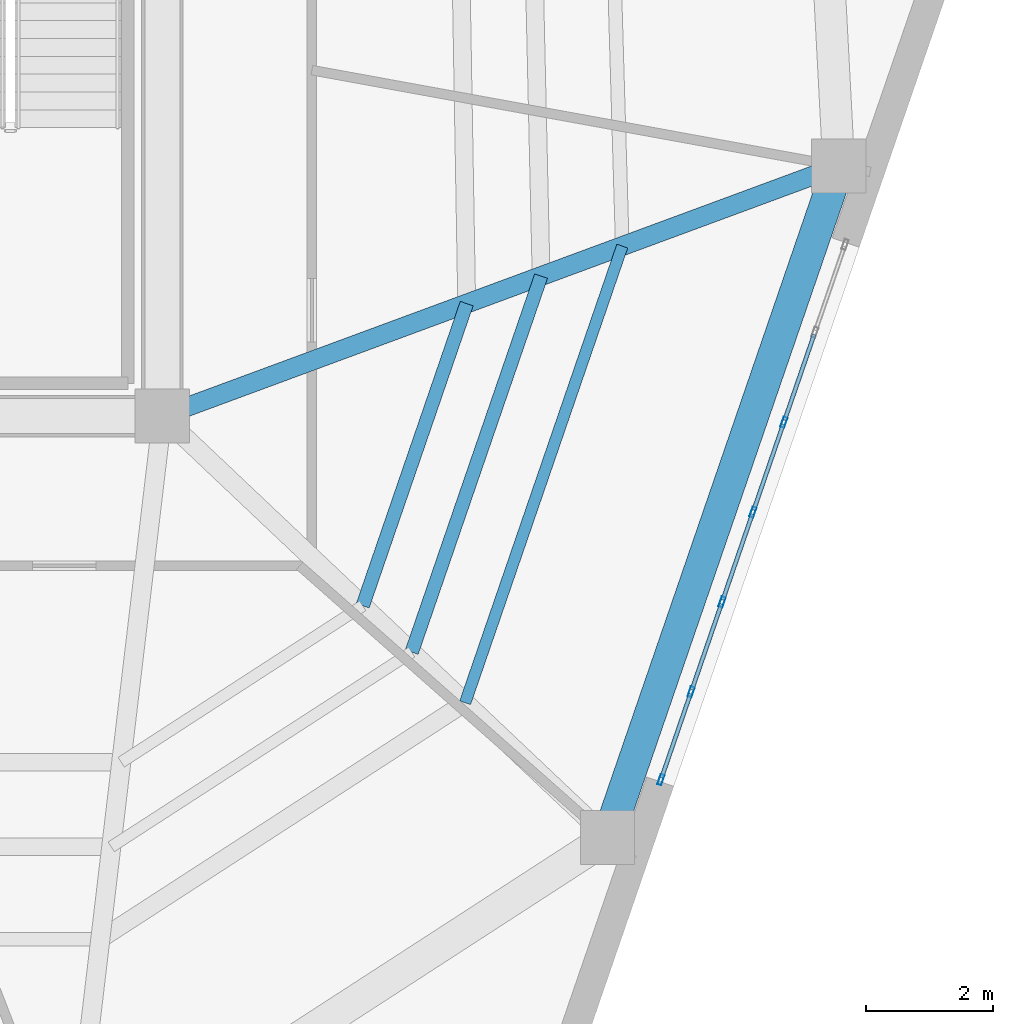
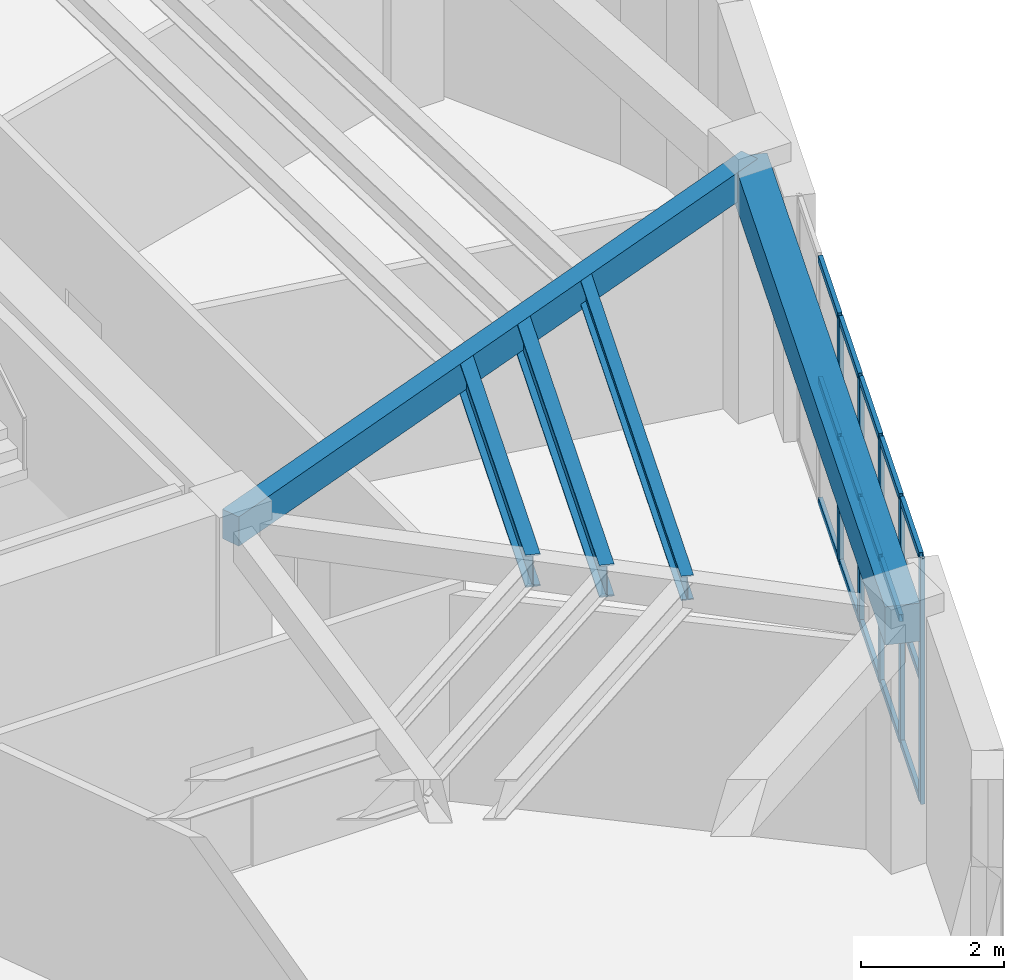
# One storey, part 4 of 15: 20 members, 5 beams, 1 element without a shape of its own.
"""IFC4 building model written with IfcOpenShell, lengths in metres."""

from ifc_helpers import new_model, si_unit, direction, frame, origin, origin_2d, place, context, subcontext, project, spatial, rectangle, hollow_rectangle, i_section, extrude, material, layer, layer_set, material_profile, profile_set, type_object, element, aggregate, save


model = new_model("IFC4")

# Units and contexts
model_context = context("Model", 3, precision=1e-05, world=origin(), true_north=direction((0.0, 1.0)))
body_context = subcontext(model_context, "Body", "Model", "MODEL_VIEW")
ifc_project = project(units=[si_unit("LENGTHUNIT", "METRE"), si_unit("AREAUNIT", "SQUARE_METRE"), si_unit("VOLUMEUNIT", "CUBIC_METRE"), si_unit("PLANEANGLEUNIT", "RADIAN"), si_unit("MASSUNIT", "GRAM", prefix="KILO")], contexts=[model_context])

# Site, building, storey
site_placement = place(None, origin())
site = spatial("IfcSite", under=ifc_project, at=site_placement, CompositionType="ELEMENT")
building_placement = place(site_placement, origin())
building = spatial("IfcBuilding", under=site, at=building_placement, Name="Kilnhurst Terrace Hotel", CompositionType="ELEMENT")
storey_placement = place(building_placement, frame((0.0, 0.0, 288.60009765625)))
storey = spatial("IfcBuildingStorey", under=building, at=storey_placement, Name="L72", CompositionType="ELEMENT", Elevation=288.60009765625)

# Beams
ifc_material_1 = material(Name="Concrete C50/60", Category="concrete")
ifc_material_profile_1 = material_profile(ifc_material_1, rectangle(XDim=0.300048828125, YDim=0.5, at=origin_2d()), Name="RC300X500")
ifc_profile_set_1 = profile_set([ifc_material_profile_1], Name="Concrete C50/60")
beam_type_1 = type_object("IfcBeamType", Name="BM-RAD-300X500", PredefinedType="BEAM", material=ifc_profile_set_1)
beam_1_placement = place(storey_placement, frame((9.0, -7.5, 3.929931640625), z_axis=(0.938001507479, 0.3466311757, 0.0), x_axis=(-0.3466311757, 0.938001507479, 0.0)))
element("IfcBeam", 1, at=beam_1_placement, inside=storey, type_object=beam_type_1, Name="L72 Radial Floor Beam 4", PredefinedType="BEAM", context=body_context, shape_type="SweptSolid", body=[
    extrude(rectangle(XDim=0.300048828125, YDim=0.5, at=origin_2d()), origin(), (0.0, 0.0, 1.0), 11.326171875),
])
ifc_material_profile_2 = material_profile(ifc_material_1, rectangle(XDim=0.5, YDim=0.64990234375, at=origin_2d()), Name="RC500X650")
ifc_profile_set_2 = profile_set([ifc_material_profile_2], Name="Concrete C50/60")
beam_type_2 = type_object("IfcBeamType", Name="BM-SPN-500X650", PredefinedType="SPANDREL", material=ifc_profile_set_2)
beam_2_placement = place(storey_placement, frame((15.9951171875, -14.12109375, 3.85498046875), z_axis=(0.325347079026, 0.945594669068, 0.0), x_axis=(-0.945594669068, 0.325347079026, 0.0)))
element("IfcBeam", 2, at=beam_2_placement, inside=storey, type_object=beam_type_2, Name="L72 Perimeter Spandrel Beam 3", PredefinedType="SPANDREL", context=body_context, shape_type="SweptSolid", body=[
    extrude(rectangle(XDim=0.5, YDim=0.64990234375, at=origin_2d()), origin(), (0.0, 0.0, 1.0), 11.154052734375),
])
ifc_material_2 = material(Name="Steel ASTM A992 Grade 50", Category="steel")
ifc_material_profile_3 = material_profile(ifc_material_2, i_section(OverallWidth=0.180908203125, OverallDepth=0.417236328125, WebThickness=0.010986328125, FlangeThickness=0.018310546875, at=origin_2d()), Name="W16X57")
ifc_profile_set_3 = profile_set([ifc_material_profile_3], Name="Steel ASTM A992 Grade 50")
beam_type_3 = type_object("IfcBeamType", Name="JST-STL-W16X57", PredefinedType="JOIST", material=ifc_profile_set_3)
beam_3_placement = place(storey_placement, frame((13.756591796875, -12.002197265625, 3.970947265625), z_axis=(0.325367628202, 0.945587598543, 0.0), x_axis=(-0.945587598543, 0.325367628202, 0.0)))
element("IfcBeam", 3, at=beam_3_placement, inside=storey, type_object=beam_type_3, Name="L72 Secondary Floor Steel Joist OUT.3", PredefinedType="JOIST", context=body_context, shape_type="SweptSolid", body=[
    extrude(i_section(OverallWidth=0.180908203125, OverallDepth=0.417236328125, WebThickness=0.010986328125, FlangeThickness=0.018310546875, at=origin_2d()), origin(), (0.0, 0.0, 1.0), 7.58447265625),
])
ifc_material_profile_4 = material_profile(ifc_material_2, i_section(OverallWidth=0.2138671875, OverallDepth=0.549072265625, WebThickness=0.0146484375, FlangeThickness=0.023681640625, at=origin_2d()), Name="W21X93")
ifc_profile_set_4 = profile_set([ifc_material_profile_4], Name="Steel ASTM A992 Grade 50")
beam_type_4 = type_object("IfcBeamType", Name="JST-STL-W21X93", PredefinedType="JOIST", material=ifc_profile_set_4)
beam_4_placement = place(storey_placement, frame((12.147705078125, -10.4794921875, 3.90478515625), z_axis=(0.325362511486, 0.94558935914, 0.0), x_axis=(-0.94558935914, 0.325362511486, 0.0)))
element("IfcBeam", 4, at=beam_4_placement, inside=storey, type_object=beam_type_4, Name="L72 Secondary Floor Steel Joist IN.3", PredefinedType="JOIST", context=body_context, shape_type="SweptSolid", body=[
    extrude(i_section(OverallWidth=0.2138671875, OverallDepth=0.549072265625, WebThickness=0.0146484375, FlangeThickness=0.023681640625, at=origin_2d()), origin(), (0.0, 0.0, 1.0), 5.019287109375),
])
beam_5_placement = place(storey_placement, frame((12.917236328125, -11.207763671875, 3.90478515625), z_axis=(0.325359404894, 0.945590428064, 0.0), x_axis=(-0.945590428064, 0.325359404894, 0.0)))
element("IfcBeam", 5, at=beam_5_placement, inside=storey, type_object=beam_type_4, Name="L72 Secondary Floor Steel Joist MID.3", PredefinedType="JOIST", context=body_context, shape_type="SweptSolid", body=[
    extrude(i_section(OverallWidth=0.2138671875, OverallDepth=0.549072265625, WebThickness=0.0146484375, FlangeThickness=0.023681640625, at=origin_2d()), origin(), (0.0, 0.0, 1.0), 6.24609375),
])

# Curtain wall, members
ifc_material_3 = material(Name="Anodized Aluminium Alloy 6063-T6 and Low-E Glass", Category="aluminium")
ifc_layer = layer(ifc_material_3, 0.219970703125, Name="Anodized Aluminium Alloy 6063-T6 and Low-E Glass")
ifc_layer_set = layer_set([ifc_layer], Name="Anodized Aluminium Alloy 6063-T6 and Low-E Glass")
curtain_wall_type = type_object("IfcCurtainWallType", Name="CW-PORTAL-L72", PredefinedType="NOTDEFINED", material=ifc_layer_set)
curtain_wall_placement = place(storey_placement, origin())
curtain_wall = element("IfcCurtainWall", 6, at=curtain_wall_placement, inside=storey, type_object=curtain_wall_type, Name="L72 Curtain Wall CW-L72-F2-1", PredefinedType="NOTDEFINED")
ifc_material_4 = material(Name="Extruded Aluminium Alloy 6063-T6", Category="aluminium")
ifc_material_profile_5 = material_profile(ifc_material_4, hollow_rectangle(XDim=0.06494140625, YDim=0.1650390625, WallThickness=0.00341796875, at=origin_2d()), Name="CWM65X165")
ifc_profile_set_5 = profile_set([ifc_material_profile_5], Name="Extruded Aluminium Alloy 6063-T6")
member_type_1 = type_object("IfcMemberType", Name="MEM-CWM65X165", PredefinedType="MULLION", material=ifc_profile_set_5)
member_1_placement = place(storey_placement, frame((16.831298828125, -13.21142578125, 0.0), z_axis=(0.0, 0.0, 1.0), x_axis=(-0.945577644137, 0.325396556387, 0.0)))
member_1 = element("IfcMember", 7, at=member_1_placement, type_object=member_type_1, Name="CWP-5 mullion 1", PredefinedType="MULLION", context=body_context, shape_type="SweptSolid", body=[
    extrude(hollow_rectangle(XDim=0.06494140625, YDim=0.1650390625, WallThickness=0.00341796875, at=origin_2d()), origin(), (0.0, 0.0, 1.0), 4.179931640625),
])
member_2_placement = place(storey_placement, frame((17.306396484375, -11.8310546875, 0.0), z_axis=(0.0, 0.0, 1.0), x_axis=(-0.945577644137, 0.325396556387, 0.0)))
member_2 = element("IfcMember", 8, at=member_2_placement, type_object=member_type_1, Name="CWP-5 mullion 2", PredefinedType="MULLION", context=body_context, shape_type="SweptSolid", body=[
    extrude(hollow_rectangle(XDim=0.06494140625, YDim=0.1650390625, WallThickness=0.00341796875, at=origin_2d()), origin(), (0.0, 0.0, 1.0), 4.179931640625),
])
member_3_placement = place(storey_placement, frame((17.7919921875, -10.419921875, 0.0), z_axis=(0.0, 0.0, 1.0), x_axis=(-0.945577644137, 0.325396556387, 0.0)))
member_3 = element("IfcMember", 9, at=member_3_placement, type_object=member_type_1, Name="CWP-5 mullion 3", PredefinedType="MULLION", context=body_context, shape_type="SweptSolid", body=[
    extrude(hollow_rectangle(XDim=0.06494140625, YDim=0.1650390625, WallThickness=0.00341796875, at=origin_2d()), origin(), (0.0, 0.0, 1.0), 4.179931640625),
])
member_4_placement = place(storey_placement, frame((18.277587890625, -9.0087890625, 0.0), z_axis=(0.0, 0.0, 1.0), x_axis=(-0.945577644137, 0.325396556387, 0.0)))
member_4 = element("IfcMember", 10, at=member_4_placement, type_object=member_type_1, Name="CWP-5 mullion 4", PredefinedType="MULLION", context=body_context, shape_type="SweptSolid", body=[
    extrude(hollow_rectangle(XDim=0.06494140625, YDim=0.1650390625, WallThickness=0.00341796875, at=origin_2d()), origin(), (0.0, 0.0, 1.0), 4.179931640625),
])
member_5_placement = place(storey_placement, frame((18.76318359375, -7.59765625, 0.0), z_axis=(0.0, 0.0, 1.0), x_axis=(-0.945577644137, 0.325396556387, 0.0)))
member_5 = element("IfcMember", 11, at=member_5_placement, type_object=member_type_1, Name="CWP-5 mullion 5", PredefinedType="MULLION", context=body_context, shape_type="SweptSolid", body=[
    extrude(hollow_rectangle(XDim=0.06494140625, YDim=0.1650390625, WallThickness=0.00341796875, at=origin_2d()), origin(), (0.0, 0.0, 1.0), 4.179931640625),
])
ifc_material_profile_6 = material_profile(ifc_material_4, hollow_rectangle(XDim=0.06494140625, YDim=0.1201171875, WallThickness=0.00341796875, at=origin_2d()), Name="CWT65X120")
ifc_profile_set_6 = profile_set([ifc_material_profile_6], Name="Extruded Aluminium Alloy 6063-T6")
member_type_2 = type_object("IfcMemberType", Name="MEM-CWT65X120", PredefinedType="USERDEFINED", material=ifc_profile_set_6)
member_6_placement = place(storey_placement, frame((16.842041015625, -13.1806640625, 0.032470703125), z_axis=(0.325402621342, 0.945575557015, 0.0), x_axis=(-0.945575557015, 0.325402621342, 0.0)))
member_6 = element("IfcMember", 12, at=member_6_placement, type_object=member_type_2, Name="CWP-5 transom 1.1", ObjectType="TRANSOM", PredefinedType="USERDEFINED", context=body_context, shape_type="SweptSolid", body=[
    extrude(hollow_rectangle(XDim=0.06494140625, YDim=0.1201171875, WallThickness=0.00341796875, at=origin_2d()), origin(), (0.0, 0.0, 1.0), 1.394775390625),
])
member_7_placement = place(storey_placement, frame((16.842041015625, -13.1806640625, 2.08984375), z_axis=(0.325402621342, 0.945575557015, 0.0), x_axis=(-0.945575557015, 0.325402621342, 0.0)))
member_7 = element("IfcMember", 13, at=member_7_placement, type_object=member_type_2, Name="CWP-5 transom 1.2", ObjectType="TRANSOM", PredefinedType="USERDEFINED", context=body_context, shape_type="SweptSolid", body=[
    extrude(hollow_rectangle(XDim=0.06494140625, YDim=0.1201171875, WallThickness=0.00341796875, at=origin_2d()), origin(), (0.0, 0.0, 1.0), 1.394775390625),
])
member_8_placement = place(storey_placement, frame((16.842041015625, -13.1806640625, 4.1474609375), z_axis=(0.325402621342, 0.945575557015, 0.0), x_axis=(-0.945575557015, 0.325402621342, 0.0)))
member_8 = element("IfcMember", 14, at=member_8_placement, type_object=member_type_2, Name="CWP-5 transom 1.3", ObjectType="TRANSOM", PredefinedType="USERDEFINED", context=body_context, shape_type="SweptSolid", body=[
    extrude(hollow_rectangle(XDim=0.06494140625, YDim=0.1201171875, WallThickness=0.00341796875, at=origin_2d()), origin(), (0.0, 0.0, 1.0), 1.394775390625),
])
member_9_placement = place(storey_placement, frame((17.31689453125, -11.80029296875, 0.032470703125), z_axis=(0.325500404767, 0.945541900973, 0.0), x_axis=(-0.945541900973, 0.325500404767, 0.0)))
member_9 = element("IfcMember", 15, at=member_9_placement, type_object=member_type_2, Name="CWP-5 transom 2.1", ObjectType="TRANSOM", PredefinedType="USERDEFINED", context=body_context, shape_type="SweptSolid", body=[
    extrude(hollow_rectangle(XDim=0.06494140625, YDim=0.1201171875, WallThickness=0.00341796875, at=origin_2d()), origin(), (0.0, 0.0, 1.0), 1.42724609375),
])
member_10_placement = place(storey_placement, frame((17.31689453125, -11.80029296875, 2.08984375), z_axis=(0.325500404767, 0.945541900973, 0.0), x_axis=(-0.945541900973, 0.325500404767, 0.0)))
member_10 = element("IfcMember", 16, at=member_10_placement, type_object=member_type_2, Name="CWP-5 transom 2.2", ObjectType="TRANSOM", PredefinedType="USERDEFINED", context=body_context, shape_type="SweptSolid", body=[
    extrude(hollow_rectangle(XDim=0.06494140625, YDim=0.1201171875, WallThickness=0.00341796875, at=origin_2d()), origin(), (0.0, 0.0, 1.0), 1.42724609375),
])
member_11_placement = place(storey_placement, frame((17.31689453125, -11.80029296875, 4.1474609375), z_axis=(0.325500404767, 0.945541900973, 0.0), x_axis=(-0.945541900973, 0.325500404767, 0.0)))
member_11 = element("IfcMember", 17, at=member_11_placement, type_object=member_type_2, Name="CWP-5 transom 2.3", ObjectType="TRANSOM", PredefinedType="USERDEFINED", context=body_context, shape_type="SweptSolid", body=[
    extrude(hollow_rectangle(XDim=0.06494140625, YDim=0.1201171875, WallThickness=0.00341796875, at=origin_2d()), origin(), (0.0, 0.0, 1.0), 1.42724609375),
])
member_12_placement = place(storey_placement, frame((17.802490234375, -10.38916015625, 0.032470703125), z_axis=(0.325500404767, 0.945541900973, 0.0), x_axis=(-0.945541900973, 0.325500404767, 0.0)))
member_12 = element("IfcMember", 18, at=member_12_placement, type_object=member_type_2, Name="CWP-5 transom 3.1", ObjectType="TRANSOM", PredefinedType="USERDEFINED", context=body_context, shape_type="SweptSolid", body=[
    extrude(hollow_rectangle(XDim=0.06494140625, YDim=0.1201171875, WallThickness=0.00341796875, at=origin_2d()), origin(), (0.0, 0.0, 1.0), 1.42724609375),
])
member_13_placement = place(storey_placement, frame((17.802490234375, -10.38916015625, 2.08984375), z_axis=(0.325500404767, 0.945541900973, 0.0), x_axis=(-0.945541900973, 0.325500404767, 0.0)))
member_13 = element("IfcMember", 19, at=member_13_placement, type_object=member_type_2, Name="CWP-5 transom 3.2", ObjectType="TRANSOM", PredefinedType="USERDEFINED", context=body_context, shape_type="SweptSolid", body=[
    extrude(hollow_rectangle(XDim=0.06494140625, YDim=0.1201171875, WallThickness=0.00341796875, at=origin_2d()), origin(), (0.0, 0.0, 1.0), 1.42724609375),
])
member_14_placement = place(storey_placement, frame((17.802490234375, -10.38916015625, 4.1474609375), z_axis=(0.325500404767, 0.945541900973, 0.0), x_axis=(-0.945541900973, 0.325500404767, 0.0)))
member_14 = element("IfcMember", 20, at=member_14_placement, type_object=member_type_2, Name="CWP-5 transom 3.3", ObjectType="TRANSOM", PredefinedType="USERDEFINED", context=body_context, shape_type="SweptSolid", body=[
    extrude(hollow_rectangle(XDim=0.06494140625, YDim=0.1201171875, WallThickness=0.00341796875, at=origin_2d()), origin(), (0.0, 0.0, 1.0), 1.42724609375),
])
member_15_placement = place(storey_placement, frame((18.2880859375, -8.97802734375, 0.032470703125), z_axis=(0.325500404767, 0.945541900973, 0.0), x_axis=(-0.945541900973, 0.325500404767, 0.0)))
member_15 = element("IfcMember", 21, at=member_15_placement, type_object=member_type_2, Name="CWP-5 transom 4.1", ObjectType="TRANSOM", PredefinedType="USERDEFINED", context=body_context, shape_type="SweptSolid", body=[
    extrude(hollow_rectangle(XDim=0.06494140625, YDim=0.1201171875, WallThickness=0.00341796875, at=origin_2d()), origin(), (0.0, 0.0, 1.0), 1.42724609375),
])
member_16_placement = place(storey_placement, frame((18.2880859375, -8.97802734375, 2.08984375), z_axis=(0.325500404767, 0.945541900973, 0.0), x_axis=(-0.945541900973, 0.325500404767, 0.0)))
member_16 = element("IfcMember", 22, at=member_16_placement, type_object=member_type_2, Name="CWP-5 transom 4.2", ObjectType="TRANSOM", PredefinedType="USERDEFINED", context=body_context, shape_type="SweptSolid", body=[
    extrude(hollow_rectangle(XDim=0.06494140625, YDim=0.1201171875, WallThickness=0.00341796875, at=origin_2d()), origin(), (0.0, 0.0, 1.0), 1.42724609375),
])
member_17_placement = place(storey_placement, frame((18.2880859375, -8.97802734375, 4.1474609375), z_axis=(0.325500404767, 0.945541900973, 0.0), x_axis=(-0.945541900973, 0.325500404767, 0.0)))
member_17 = element("IfcMember", 23, at=member_17_placement, type_object=member_type_2, Name="CWP-5 transom 4.3", ObjectType="TRANSOM", PredefinedType="USERDEFINED", context=body_context, shape_type="SweptSolid", body=[
    extrude(hollow_rectangle(XDim=0.06494140625, YDim=0.1201171875, WallThickness=0.00341796875, at=origin_2d()), origin(), (0.0, 0.0, 1.0), 1.42724609375),
])
member_18_placement = place(storey_placement, frame((18.773681640625, -7.56689453125, 0.032470703125), z_axis=(0.325500404767, 0.945541900973, 0.0), x_axis=(-0.945541900973, 0.325500404767, 0.0)))
member_18 = element("IfcMember", 24, at=member_18_placement, type_object=member_type_2, Name="CWP-5 transom 5.1", ObjectType="TRANSOM", PredefinedType="USERDEFINED", context=body_context, shape_type="SweptSolid", body=[
    extrude(hollow_rectangle(XDim=0.06494140625, YDim=0.1201171875, WallThickness=0.00341796875, at=origin_2d()), origin(), (0.0, 0.0, 1.0), 1.42724609375),
])
member_19_placement = place(storey_placement, frame((18.773681640625, -7.56689453125, 2.08984375), z_axis=(0.325500404767, 0.945541900973, 0.0), x_axis=(-0.945541900973, 0.325500404767, 0.0)))
member_19 = element("IfcMember", 25, at=member_19_placement, type_object=member_type_2, Name="CWP-5 transom 5.2", ObjectType="TRANSOM", PredefinedType="USERDEFINED", context=body_context, shape_type="SweptSolid", body=[
    extrude(hollow_rectangle(XDim=0.06494140625, YDim=0.1201171875, WallThickness=0.00341796875, at=origin_2d()), origin(), (0.0, 0.0, 1.0), 1.42724609375),
])
member_20_placement = place(storey_placement, frame((18.773681640625, -7.56689453125, 4.1474609375), z_axis=(0.325500404767, 0.945541900973, 0.0), x_axis=(-0.945541900973, 0.325500404767, 0.0)))
member_20 = element("IfcMember", 26, at=member_20_placement, type_object=member_type_2, Name="CWP-5 transom 5.3", ObjectType="TRANSOM", PredefinedType="USERDEFINED", context=body_context, shape_type="SweptSolid", body=[
    extrude(hollow_rectangle(XDim=0.06494140625, YDim=0.1201171875, WallThickness=0.00341796875, at=origin_2d()), origin(), (0.0, 0.0, 1.0), 1.42724609375),
])
aggregate(curtain_wall, [member_1, member_2, member_3, member_4, member_5, member_6, member_7, member_8, member_9, member_10, member_11, member_12, member_13, member_14, member_15, member_16, member_17, member_18, member_19, member_20])

save(model, "model.ifc")
